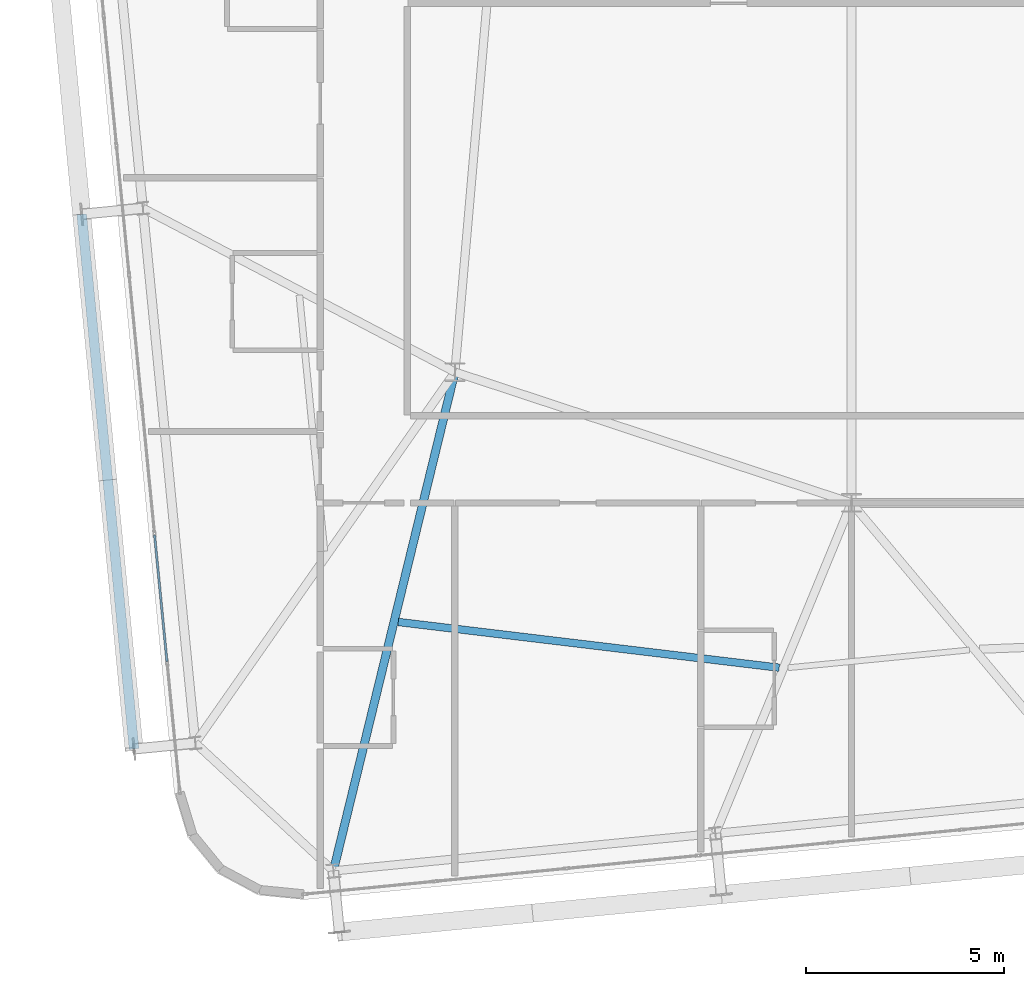
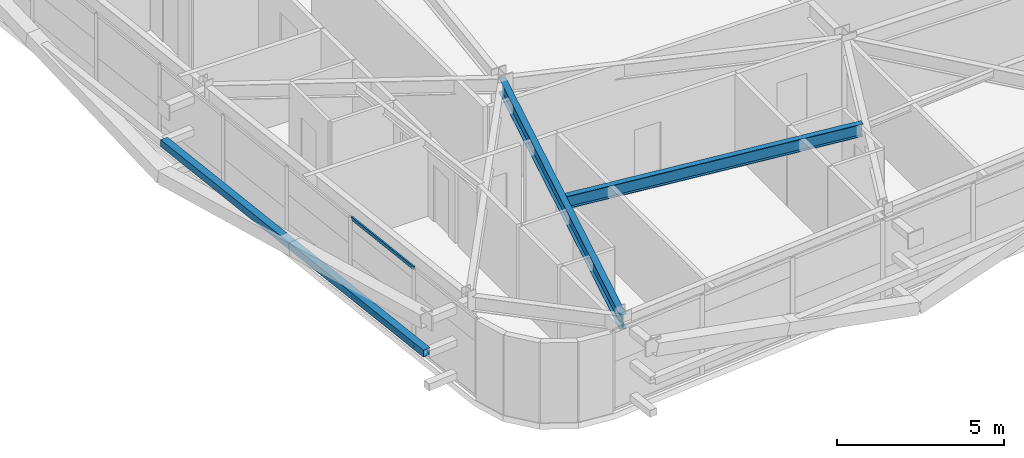
# One storey, part 7 of 53: 3 members, 2 beams, 1 element without a shape of its own.
"""IFC4 building model written with IfcOpenShell, lengths in metres."""

from ifc_helpers import new_model, si_unit, direction, frame, origin, origin_2d, place, context, subcontext, project, spatial, hollow_rectangle, i_section, extrude, source, transform, mapped, material, layer, layer_set, material_profile, profile_set, type_object, element, aggregate, save


model = new_model("IFC4")

# Units and contexts
model_context = context("Model", 3, precision=1e-05, world=origin(), true_north=direction((0.0, 1.0)))
body_context = subcontext(model_context, "Body", "Model", "MODEL_VIEW")
ifc_project = project(units=[si_unit("LENGTHUNIT", "METRE"), si_unit("AREAUNIT", "SQUARE_METRE"), si_unit("VOLUMEUNIT", "CUBIC_METRE"), si_unit("PLANEANGLEUNIT", "RADIAN"), si_unit("MASSUNIT", "GRAM", prefix="KILO")], contexts=[model_context])

# Site, building, storey
site_placement = place(None, origin())
site = spatial("IfcSite", under=ifc_project, at=site_placement, CompositionType="ELEMENT")
building_placement = place(site_placement, origin())
building = spatial("IfcBuilding", under=site, at=building_placement, Name="Taldren Reach Tower", CompositionType="ELEMENT")
storey_placement = place(building_placement, frame((0.0, 0.0, 84.0)))
storey = spatial("IfcBuildingStorey", under=building, at=storey_placement, Name="L25", CompositionType="ELEMENT", Elevation=84.0)

# Beams
ifc_material_1 = material(Name="Steel Gr 350 (350PLUS)", Category="steel")
ifc_material_profile_1 = material_profile(ifc_material_1, i_section(OverallWidth=0.208984375, OverallDepth=0.532958984375, WebThickness=0.01025390625, FlangeThickness=0.015625, at=origin_2d()), Name="530UB92.4")
ifc_profile_set_1 = profile_set([ifc_material_profile_1], Name="Steel Gr 350 (350PLUS)")
beam_type_1 = type_object("IfcBeamType", Name="BM-UB530A", PredefinedType="BEAM", material=ifc_profile_set_1)
shared_shape_1 = source(origin(), body_context, "Body", "SweptSolid", [
    extrude(i_section(OverallWidth=0.208984375, OverallDepth=0.532958984375, WebThickness=0.01025390625, FlangeThickness=0.015625, at=origin_2d()), origin(), (0.0, 0.0, 1.0), 12.947998046875),
])
beam_1_placement = place(storey_placement, frame((18.0, 12.5, 2.66357421875), z_axis=(-0.236786022782, -0.971561824803, 0.0), x_axis=(0.971561824803, -0.236786022782, 0.0)))
element("IfcBeam", 1, at=beam_1_placement, inside=storey, type_object=beam_type_1, Name="Primary floor girder B2-S1 L25", PredefinedType="BEAM", context=body_context, shape_type="MappedRepresentation", body=[
    mapped(shared_shape_1, transform((0.0, 0.0, 0.0), scale=1.0)),
])
ifc_material_profile_2 = material_profile(ifc_material_1, i_section(OverallWidth=0.19091796875, OverallDepth=0.4599609375, WebThickness=0.010009765625, FlangeThickness=0.01611328125, at=origin_2d()), Name="460UB82.1")
ifc_profile_set_2 = profile_set([ifc_material_profile_2], Name="Steel Gr 350 (350PLUS)")
beam_type_2 = type_object("IfcBeamType", Name="BM-UB460A", PredefinedType="BEAM", material=ifc_profile_set_2)
shared_shape_2 = source(origin(), body_context, "Body", "SweptSolid", [
    extrude(i_section(OverallWidth=0.19091796875, OverallDepth=0.4599609375, WebThickness=0.010009765625, FlangeThickness=0.01611328125, at=origin_2d()), origin(), (0.0, 0.0, 1.0), 9.673583984375),
])
beam_2_placement = place(storey_placement, frame((16.571533203125, 6.197509765625, 2.699951171875), z_axis=(0.992879584922, -0.119122331431, 0.0), x_axis=(0.119122331431, 0.992879584922, 0.0)))
element("IfcBeam", 2, at=beam_2_placement, inside=storey, type_object=beam_type_2, Name="Secondary floor beam B2 J1 L25", PredefinedType="BEAM", context=body_context, shape_type="MappedRepresentation", body=[
    mapped(shared_shape_2, transform((0.0, 0.0, 0.0), scale=1.0)),
])

# Member
ifc_material_2 = material(Name="Steel Gr 350 (C350L0)", Category="steel")
ifc_material_profile_3 = material_profile(ifc_material_2, hollow_rectangle(XDim=0.25, YDim=0.25, WallThickness=0.010009765625, at=origin_2d()), Name="250x250x10.0SHS")
ifc_profile_set_3 = profile_set([ifc_material_profile_3], Name="Steel Gr 350 (C350L0)")
member_type_1 = type_object("IfcMemberType", Name="MB-POST250", PredefinedType="POST", material=ifc_profile_set_3)
shared_shape_3 = source(origin(), body_context, "Body", "SweptSolid", [
    extrude(hollow_rectangle(XDim=0.25, YDim=0.25, WallThickness=0.010009765625, at=origin_2d()), origin(), (0.0, 0.0, 1.0), 13.5498046875),
])
member_1_placement = place(storey_placement, frame((9.91015625, 2.99462890625, 1.43505859375), z_axis=(-0.097585771221, 0.995227118428, 0.0), x_axis=(-0.995227118428, -0.097585771221, 0.0)))
element("IfcMember", 3, at=member_1_placement, inside=storey, type_object=member_type_1, Name="Exoskeleton mid-height ring chord B2-W1 L25", PredefinedType="POST", context=body_context, shape_type="MappedRepresentation", body=[
    mapped(shared_shape_3, transform((0.0, 0.0, 0.0), scale=1.0)),
])

# Curtain wall, members
ifc_material_3 = material(Name="Aluminium and Low-E Glass Unitised System", Category="aluminium")
ifc_layer = layer(ifc_material_3, 0.159912109375)
ifc_layer_set = layer_set([ifc_layer], Name="Aluminium and Low-E Glass Unitised System")
curtain_wall_type = type_object("IfcCurtainWallType", Name="CW-SYS-3", PredefinedType="NOTDEFINED", material=ifc_layer_set)
curtain_wall_placement = place(storey_placement, origin())
curtain_wall = element("IfcCurtainWall", 4, at=curtain_wall_placement, inside=storey, type_object=curtain_wall_type, Name="Unitised curtain wall CW-L25-W", PredefinedType="NOTDEFINED")
ifc_material_4 = material(Name="Anodised Aluminium 6063-T6", Category="aluminium")
ifc_material_profile_4 = material_profile(ifc_material_4, hollow_rectangle(XDim=0.054931640625, YDim=0.1201171875, WallThickness=0.0029296875, at=origin_2d()), Name="ALU-120x55x3RHS")
ifc_profile_set_4 = profile_set([ifc_material_profile_4], Name="Anodised Aluminium 6063-T6")
member_type_2 = type_object("IfcMemberType", Name="CW-TRN-135", PredefinedType="USERDEFINED", material=ifc_profile_set_4)
shared_shape_4 = source(origin(), body_context, "Body", "SweptSolid", [
    extrude(hollow_rectangle(XDim=0.054931640625, YDim=0.1201171875, WallThickness=0.0029296875, at=origin_2d()), origin(), (0.0, 0.0, 1.0), 3.212646484375),
])
member_2_placement = place(storey_placement, frame((10.42578125, 8.3935546875, 0.027587890625), z_axis=(0.097577327663, -0.995227946315, 0.0), x_axis=(0.995227946315, 0.097577327663, 0.0)))
member_2 = element("IfcMember", 5, at=member_2_placement, type_object=member_type_2, Name="CW-3 transom 8.1", ObjectType="TRANSOM", PredefinedType="USERDEFINED", context=body_context, shape_type="MappedRepresentation", body=[
    mapped(shared_shape_4, transform((0.0, 0.0, 0.0), scale=1.0)),
])
member_3_placement = place(storey_placement, frame((10.42578125, 8.3935546875, 2.902587890625), z_axis=(0.097577327663, -0.995227946315, 0.0), x_axis=(0.995227946315, 0.097577327663, 0.0)))
member_3 = element("IfcMember", 6, at=member_3_placement, type_object=member_type_2, Name="CW-3 transom 8.2", ObjectType="TRANSOM", PredefinedType="USERDEFINED", context=body_context, shape_type="MappedRepresentation", body=[
    mapped(shared_shape_4, transform((0.0, 0.0, 0.0), scale=1.0)),
])
aggregate(curtain_wall, [member_2, member_3])

save(model, "model.ifc")
